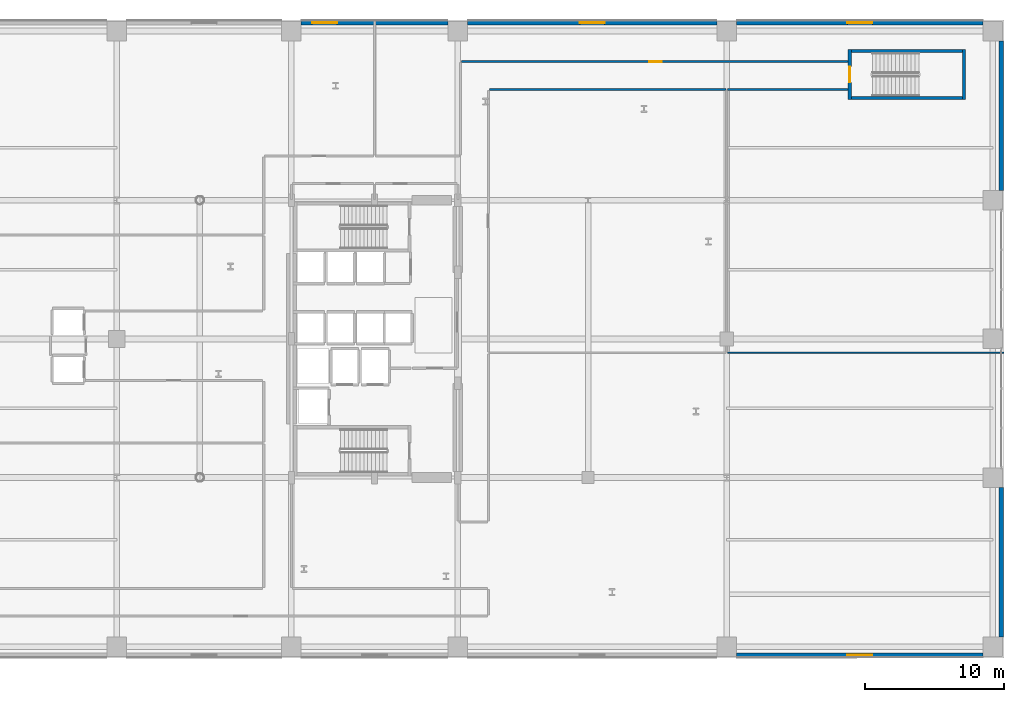
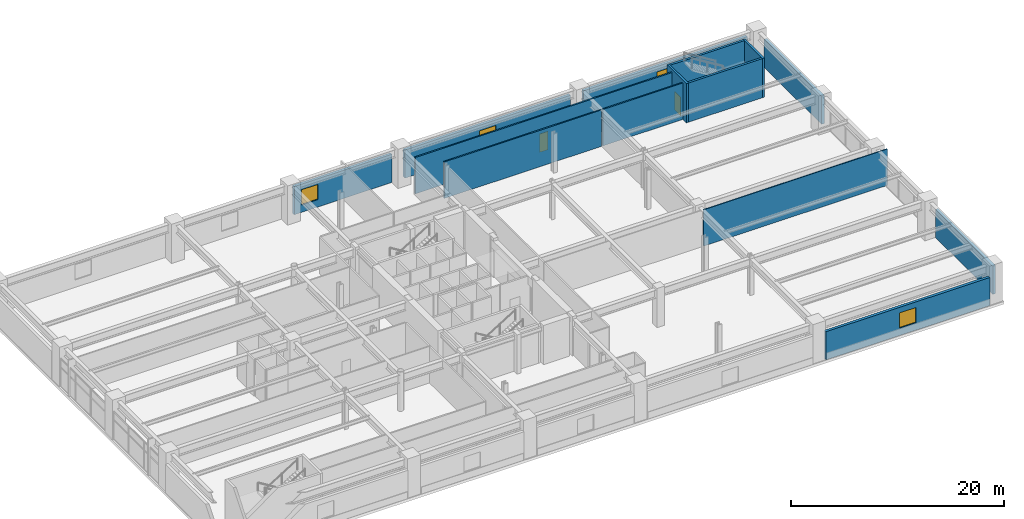
# One storey, part 22 of 28: 14 walls, 4 windows, 2 doors, 6 openings.
"""IFC4 building model written with IfcOpenShell, lengths in metres."""

from ifc_helpers import new_model, si_unit, direction, frame, frame_2d, origin, place, context, subcontext, project, spatial, rectangle, extrude, material, layer, layer_set, type_object, element, fill, save


model = new_model("IFC4")

# Units and contexts
model_context = context("Model", 3, precision=1e-05, world=origin(), true_north=direction((0.0, 1.0)))
body_context = subcontext(model_context, "Body", "Model", "MODEL_VIEW")
ifc_project = project(units=[si_unit("LENGTHUNIT", "METRE"), si_unit("AREAUNIT", "SQUARE_METRE"), si_unit("VOLUMEUNIT", "CUBIC_METRE"), si_unit("PLANEANGLEUNIT", "RADIAN"), si_unit("MASSUNIT", "GRAM", prefix="KILO")], contexts=[model_context])

# Site, building, storey
site_placement = place(None, origin())
site = spatial("IfcSite", under=ifc_project, at=site_placement, CompositionType="ELEMENT")
building_placement = place(site_placement, origin())
building = spatial("IfcBuilding", under=site, at=building_placement, Name="Soratama Intermodal Tower", CompositionType="ELEMENT")
storey_placement = place(building_placement, frame((0.0, 0.0, 16.199951171875)))
storey = spatial("IfcBuildingStorey", under=building, at=storey_placement, Name="L03", CompositionType="ELEMENT", Elevation=16.199951171875)

# Wall, opening, window
ifc_material_1 = material(Name="Concrete f'c 42 MPa", Category="concrete")
ifc_layer_1 = layer(ifc_material_1, 0.300048828125)
ifc_layer_set_1 = layer_set([ifc_layer_1], Name="Concrete f'c 42 MPa")
wall_type_1 = type_object("IfcWallType", Name="EW-STONE-300", PredefinedType="SOLIDWALL", material=ifc_layer_set_1)
wall_1_placement = place(storey_placement, frame((33.300048828125, 47.800048828125, 0.0), z_axis=(0.0, 0.0, 1.0), x_axis=(1.0, 0.0, 0.0)))
wall_1 = element("IfcWall", 1, at=wall_1_placement, inside=storey, type_object=wall_type_1, Name="L03 N Limestone Wall B3", PredefinedType="SOLIDWALL", context=body_context, shape_type="SweptSolid", body=[
    extrude(rectangle(XDim=10.599853515625, YDim=0.300048828125, at=frame_2d((5.2998046875, 0.0))), origin(), (0.0, 0.0, 1.0), 3.236083984375),
])
opening_1_placement = place(wall_1_placement, frame((0.800048828125, 0.0, 0.85009765625)))
opening_1 = element("IfcOpeningElement", 2, at=opening_1_placement, cuts=wall_1, Name="Opening WN-3", PredefinedType="OPENING", context=body_context, shape_type="SweptSolid", body=[
    extrude(rectangle(XDim=1.800048828125, YDim=1.75, at=frame_2d((0.89990234375, 0.875))), frame((0.0, 0.159912109375, 0.0), z_axis=(0.0, -1.0, 0.0), x_axis=(1.0, 0.0, 0.0)), (0.0, 0.0, 1.0), 0.320068359375),
])
ifc_material_2 = material(Name="Double-glazed aluminium window", Category="aluminium")
window_type = type_object("IfcWindowType", Name="WN-POD-1800", PartitioningType="SINGLE_PANEL", PredefinedType="WINDOW", material=ifc_material_2)
window_1_placement = place(opening_1_placement, origin())
window_1 = element("IfcWindow", 3, at=window_1_placement, inside=storey, type_object=window_type, Name="L03 N Window B3", OverallHeight=1.75, OverallWidth=1.800048828125, PartitioningType="SINGLE_PANEL", PredefinedType="WINDOW", context=body_context, shape_type="SweptSolid", body=[
    extrude(rectangle(XDim=1.800048828125, YDim=1.75, at=frame_2d((0.89990234375, 0.875))), frame((0.0, 0.030029296875, 0.0), z_axis=(0.0, -1.0, 0.0), x_axis=(1.0, 0.0, 0.0)), (0.0, 0.0, 1.0), 0.06005859375),
])
fill(opening_1, window_1)

wall_2_placement = place(storey_placement, frame((45.300048828125, 47.800048828125, 0.0), z_axis=(0.0, 0.0, 1.0), x_axis=(1.0, 0.0, 0.0)))
wall_2 = element("IfcWall", 4, at=wall_2_placement, inside=storey, type_object=wall_type_1, Name="L03 N Limestone Wall B4", PredefinedType="SOLIDWALL", context=body_context, shape_type="SweptSolid", body=[
    extrude(rectangle(XDim=18.0, YDim=0.300048828125, at=frame_2d((9.0, 0.0))), origin(), (0.0, 0.0, 1.0), 3.236083984375),
])
opening_2_placement = place(wall_2_placement, frame((8.10009765625, 0.0, 0.85009765625)))
opening_2 = element("IfcOpeningElement", 5, at=opening_2_placement, cuts=wall_2, Name="Opening WN-3", PredefinedType="OPENING", context=body_context, shape_type="SweptSolid", body=[
    extrude(rectangle(XDim=1.800048828125, YDim=1.75, at=frame_2d((0.89990234375, 0.875))), frame((0.0, 0.159912109375, 0.0), z_axis=(0.0, -1.0, 0.0), x_axis=(1.0, 0.0, 0.0)), (0.0, 0.0, 1.0), 0.320068359375),
])
window_2_placement = place(opening_2_placement, origin())
window_2 = element("IfcWindow", 6, at=window_2_placement, inside=storey, type_object=window_type, Name="L03 N Window B4", OverallHeight=1.75, OverallWidth=1.800048828125, PartitioningType="SINGLE_PANEL", PredefinedType="WINDOW", context=body_context, shape_type="SweptSolid", body=[
    extrude(rectangle(XDim=1.800048828125, YDim=1.75, at=frame_2d((0.89990234375, 0.875))), frame((0.0, 0.030029296875, 0.0), z_axis=(0.0, -1.0, 0.0), x_axis=(1.0, 0.0, 0.0)), (0.0, 0.0, 1.0), 0.06005859375),
])
fill(opening_2, window_2)

wall_3_placement = place(storey_placement, frame((64.699951171875, 47.800048828125, 0.0), z_axis=(0.0, 0.0, 1.0), x_axis=(1.0, 0.0, 0.0)))
wall_3 = element("IfcWall", 7, at=wall_3_placement, inside=storey, type_object=wall_type_1, Name="L03 N Limestone Wall B5", PredefinedType="SOLIDWALL", context=body_context, shape_type="SweptSolid", body=[
    extrude(rectangle(XDim=17.800048828125, YDim=0.300048828125, at=frame_2d((8.89990234375, 0.0))), origin(), (0.0, 0.0, 1.0), 3.236083984375),
])
opening_3_placement = place(wall_3_placement, frame((8.0, 0.0, 0.85009765625)))
opening_3 = element("IfcOpeningElement", 8, at=opening_3_placement, cuts=wall_3, Name="Opening WN-3", PredefinedType="OPENING", context=body_context, shape_type="SweptSolid", body=[
    extrude(rectangle(XDim=1.800048828125, YDim=1.75, at=frame_2d((0.89990234375, 0.875))), frame((0.0, 0.159912109375, 0.0), z_axis=(0.0, -1.0, 0.0), x_axis=(1.0, 0.0, 0.0)), (0.0, 0.0, 1.0), 0.320068359375),
])
window_3_placement = place(opening_3_placement, origin())
window_3 = element("IfcWindow", 9, at=window_3_placement, inside=storey, type_object=window_type, Name="L03 N Window B5", OverallHeight=1.75, OverallWidth=1.800048828125, PartitioningType="SINGLE_PANEL", PredefinedType="WINDOW", context=body_context, shape_type="SweptSolid", body=[
    extrude(rectangle(XDim=1.800048828125, YDim=1.75, at=frame_2d((0.89990234375, 0.875))), frame((0.0, 0.030029296875, 0.0), z_axis=(0.0, -1.0, 0.0), x_axis=(1.0, 0.0, 0.0)), (0.0, 0.0, 1.0), 0.06005859375),
])
fill(opening_3, window_3)

wall_4_placement = place(storey_placement, frame((82.5, 2.199951171875, 0.0), z_axis=(0.0, 0.0, 1.0), x_axis=(-1.0, 0.0, 0.0)))
wall_4 = element("IfcWall", 10, at=wall_4_placement, inside=storey, type_object=wall_type_1, Name="L03 S Limestone Wall B5", PredefinedType="SOLIDWALL", context=body_context, shape_type="SweptSolid", body=[
    extrude(rectangle(XDim=17.800048828125, YDim=0.300048828125, at=frame_2d((8.89990234375, 0.0))), origin(), (0.0, 0.0, 1.0), 3.236083984375),
])
opening_4_placement = place(wall_4_placement, frame((8.0, 0.0, 0.85009765625)))
opening_4 = element("IfcOpeningElement", 11, at=opening_4_placement, cuts=wall_4, Name="Opening WN-3", PredefinedType="OPENING", context=body_context, shape_type="SweptSolid", body=[
    extrude(rectangle(XDim=1.800048828125, YDim=1.75, at=frame_2d((0.89990234375, 0.875))), frame((0.0, 0.159912109375, 0.0), z_axis=(0.0, -1.0, 0.0), x_axis=(1.0, 0.0, 0.0)), (0.0, 0.0, 1.0), 0.320068359375),
])
window_4_placement = place(opening_4_placement, origin())
window_4 = element("IfcWindow", 12, at=window_4_placement, inside=storey, type_object=window_type, Name="L03 S Window B5", OverallHeight=1.75, OverallWidth=1.800048828125, PartitioningType="SINGLE_PANEL", PredefinedType="WINDOW", context=body_context, shape_type="SweptSolid", body=[
    extrude(rectangle(XDim=1.800048828125, YDim=1.75, at=frame_2d((0.89990234375, 0.875))), frame((0.0, 0.030029296875, 0.0), z_axis=(0.0, -1.0, 0.0), x_axis=(1.0, 0.0, 0.0)), (0.0, 0.0, 1.0), 0.06005859375),
])
fill(opening_4, window_4)

# Walls
for number, where, z_axis, x_axis, name in (
    (13, (83.800048828125, 14.300048828125, 0.0), (0.0, 0.0, 1.0), (0.0, -1.0, 0.0), "L03 Perimeter Wall ES"),
    (14, (83.800048828125, 46.5, 0.0), (0.0, 0.0, 1.0), (0.0, -1.0, 0.0), "L03 Perimeter Wall EN"),
):
    element("IfcWall", number, at=place(storey_placement, frame(where, z_axis=z_axis, x_axis=x_axis)), inside=storey, type_object=wall_type_1, Name=name, PredefinedType="SOLIDWALL", context=body_context, shape_type="SweptSolid", body=[
        extrude(rectangle(XDim=10.800048828125, YDim=0.300048828125, at=frame_2d((5.39990234375, 0.0))), origin(), (0.0, 0.0, 1.0), 3.236083984375),
    ])

# Wall, opening, door
ifc_material_3 = material(Name="Fire-rated gypsum stud partition", Category="concrete")
ifc_layer_2 = layer(ifc_material_3, 0.14990234375)
ifc_layer_set_2 = layer_set([ifc_layer_2], Name="Fire-rated gypsum stud partition")
wall_type_2 = type_object("IfcWallType", Name="IW-PART-R150", PredefinedType="PARTITIONING", material=ifc_layer_set_2)
wall_5_placement = place(storey_placement, frame((44.8701171875, 45.0, 0.0), z_axis=(0.0, 0.0, 1.0), x_axis=(1.0, 0.0, 0.0)))
wall_5 = element("IfcWall", 15, at=wall_5_placement, inside=storey, type_object=wall_type_2, Name="L03 Partition W-L03-TP004", PredefinedType="PARTITIONING", context=body_context, shape_type="SweptSolid", body=[
    extrude(rectangle(XDim=28.009765625, YDim=0.14990234375, at=frame_2d((14.0048828125, 0.0))), origin(), (0.0, 0.0, 1.0), 4.179931640625),
])
opening_5_placement = place(wall_5_placement, frame((13.530029296875, 0.0, 0.0)))
opening_5 = element("IfcOpeningElement", 16, at=opening_5_placement, cuts=wall_5, Name="Opening ID-6", PredefinedType="OPENING", context=body_context, shape_type="SweptSolid", body=[
    extrude(rectangle(XDim=0.919921875, YDim=2.1201171875, at=frame_2d((0.4599609375, 1.06005859375))), frame((0.0, 0.0849609375, 0.0), z_axis=(0.0, -1.0, 0.0), x_axis=(1.0, 0.0, 0.0)), (0.0, 0.0, 1.0), 0.169921875),
])
ifc_material_4 = material(Name="Solid hardwood acoustic door", Category="wood")
door_type_1 = type_object("IfcDoorType", Name="DR-ROOM-920", OperationType="NOTDEFINED", PredefinedType="DOOR", material=ifc_material_4)
door_1_placement = place(opening_5_placement, origin())
door_1 = element("IfcDoor", 17, at=door_1_placement, inside=storey, type_object=door_type_1, Name="L03 Door D-L03-TP002", OperationType="SINGLE_SWING_LEFT", OverallHeight=2.1201171875, OverallWidth=0.919921875, PredefinedType="DOOR", context=body_context, shape_type="SweptSolid", body=[
    extrude(rectangle(XDim=0.919921875, YDim=2.1201171875, at=frame_2d((0.4599609375, 1.06005859375))), frame((0.0, 0.02490234375, 0.0), z_axis=(0.0, -1.0, 0.0), x_axis=(1.0, 0.0, 0.0)), (0.0, 0.0, 1.0), 0.050048828125),
])
fill(opening_5, door_1)

# Walls
wall_6_placement = place(storey_placement, frame((63.929931640625, 43.0, 0.0), z_axis=(0.0, 0.0, 1.0), x_axis=(-1.0, 0.0, 0.0)))
element("IfcWall", 18, at=wall_6_placement, inside=storey, type_object=wall_type_2, Name="L03 Partition W-L03-TP009", PredefinedType="PARTITIONING", context=body_context, shape_type="SweptSolid", body=[
    extrude(rectangle(XDim=17.059814453125, YDim=0.14990234375, at=frame_2d((8.52978515625, 0.0))), origin(), (0.0, 0.0, 1.0), 4.179931640625),
])
wall_7_placement = place(storey_placement, frame((72.8798828125, 43.0, 0.0), z_axis=(0.0, 0.0, 1.0), x_axis=(-1.0, 0.0, 0.0)))
element("IfcWall", 19, at=wall_7_placement, inside=storey, type_object=wall_type_2, Name="L03 Partition W-L03-TP017", PredefinedType="PARTITIONING", context=body_context, shape_type="SweptSolid", body=[
    extrude(rectangle(XDim=8.809814453125, YDim=0.14990234375, at=frame_2d((4.40478515625, 0.0))), origin(), (0.0, 0.0, 1.0), 4.179931640625),
])
ifc_material_5 = material(Name="Fire-rated gypsum stud partition", Category="concrete")
ifc_layer_3 = layer(ifc_material_5, 0.10009765625)
ifc_layer_set_3 = layer_set([ifc_layer_3], Name="Fire-rated gypsum stud partition")
wall_type_3 = type_object("IfcWallType", Name="IW-PART-S100", PredefinedType="PARTITIONING", material=ifc_layer_set_3)
wall_8_placement = place(storey_placement, frame((64.070068359375, 24.0, 0.0), z_axis=(0.0, 0.0, 1.0), x_axis=(1.0, 0.0, 0.0)))
element("IfcWall", 20, at=wall_8_placement, inside=storey, type_object=wall_type_3, Name="L03 Partition W-L03-TP005", PredefinedType="PARTITIONING", context=body_context, shape_type="SweptSolid", body=[
    extrude(rectangle(XDim=19.929931640625, YDim=0.10009765625, at=frame_2d((9.96484375, 0.0))), origin(), (0.0, 0.0, 1.0), 4.179931640625),
])

# Wall, opening, door
ifc_material_6 = material(Name="Concrete f'c 56 MPa", Category="concrete")
ifc_layer_4 = layer(ifc_material_6, 0.239990234375)
ifc_layer_set_4 = layer_set([ifc_layer_4], Name="Concrete f'c 56 MPa")
wall_type_4 = type_object("IfcWallType", Name="SW-STAIR-240", PredefinedType="SHEAR", material=ifc_layer_set_4)
wall_9_placement = place(storey_placement, frame((72.8798828125, 42.260009765625, 0.0), z_axis=(0.0, 0.0, 1.0), x_axis=(0.0, 1.0, 0.0)))
wall_9 = element("IfcWall", 21, at=wall_9_placement, inside=storey, type_object=wall_type_4, Name="L03 ST-4 Shaft Shear Wall W", PredefinedType="SHEAR", context=body_context, shape_type="SweptSolid", body=[
    extrude(rectangle(XDim=3.6298828125, YDim=0.239990234375, at=frame_2d((1.81494140625, 0.0))), origin(), (0.0, 0.0, 1.0), 4.5),
])
opening_6_placement = place(wall_9_placement, frame((1.2548828125, 0.0, 0.0)))
opening_6 = element("IfcOpeningElement", 22, at=opening_6_placement, cuts=wall_9, Name="Opening SD-1", PredefinedType="OPENING", context=body_context, shape_type="SweptSolid", body=[
    extrude(rectangle(XDim=1.1201171875, YDim=2.14990234375, at=frame_2d((0.56005859375, 1.074951171875))), frame((0.0, 0.1298828125, 0.0), z_axis=(0.0, -1.0, 0.0), x_axis=(1.0, 0.0, 0.0)), (0.0, 0.0, 1.0), 0.260009765625),
])
ifc_material_7 = material(Name="Steel fire door", Category="steel")
door_type_2 = type_object("IfcDoorType", Name="DR-STAIR-FD90", OperationType="NOTDEFINED", PredefinedType="DOOR", material=ifc_material_7)
door_2_placement = place(opening_6_placement, origin())
door_2 = element("IfcDoor", 23, at=door_2_placement, inside=storey, type_object=door_type_2, Name="L03 ST-4 Exit Stair Door", OperationType="SINGLE_SWING_RIGHT", OverallHeight=2.14990234375, OverallWidth=1.1201171875, PredefinedType="DOOR", context=body_context, shape_type="SweptSolid", body=[
    extrude(rectangle(XDim=1.1201171875, YDim=2.14990234375, at=frame_2d((0.56005859375, 1.074951171875))), frame((0.0, 0.02490234375, 0.0), z_axis=(0.0, -1.0, 0.0), x_axis=(1.0, 0.0, 0.0)), (0.0, 0.0, 1.0), 0.050048828125),
])
fill(opening_6, door_2)

# Walls
wall_10_placement = place(storey_placement, frame((81.1201171875, 42.260009765625, 0.0), z_axis=(0.0, 0.0, 1.0), x_axis=(0.0, 1.0, 0.0)))
element("IfcWall", 24, at=wall_10_placement, inside=storey, type_object=wall_type_4, Name="L03 ST-4 Shaft Shear Wall E", PredefinedType="SHEAR", context=body_context, shape_type="SweptSolid", body=[
    extrude(rectangle(XDim=3.6298828125, YDim=0.239990234375, at=frame_2d((1.81494140625, 0.0))), origin(), (0.0, 0.0, 1.0), 4.5),
])
for number, where, z_axis, x_axis, name in (
    (25, (73.0, 42.3798828125, 0.0), (0.0, 0.0, 1.0), (1.0, 0.0, 0.0), "L03 ST-4 Shaft Shear Wall S"),
    (26, (73.0, 45.77001953125, 0.0), (0.0, 0.0, 1.0), (1.0, 0.0, 0.0), "L03 ST-4 Shaft Shear Wall N"),
):
    element("IfcWall", number, at=place(storey_placement, frame(where, z_axis=z_axis, x_axis=x_axis)), inside=storey, type_object=wall_type_4, Name=name, PredefinedType="SHEAR", context=body_context, shape_type="SweptSolid", body=[
        extrude(rectangle(XDim=8.0, YDim=0.239990234375, at=frame_2d((4.0, 0.0))), origin(), (0.0, 0.0, 1.0), 4.5),
    ])

save(model, "model.ifc")
